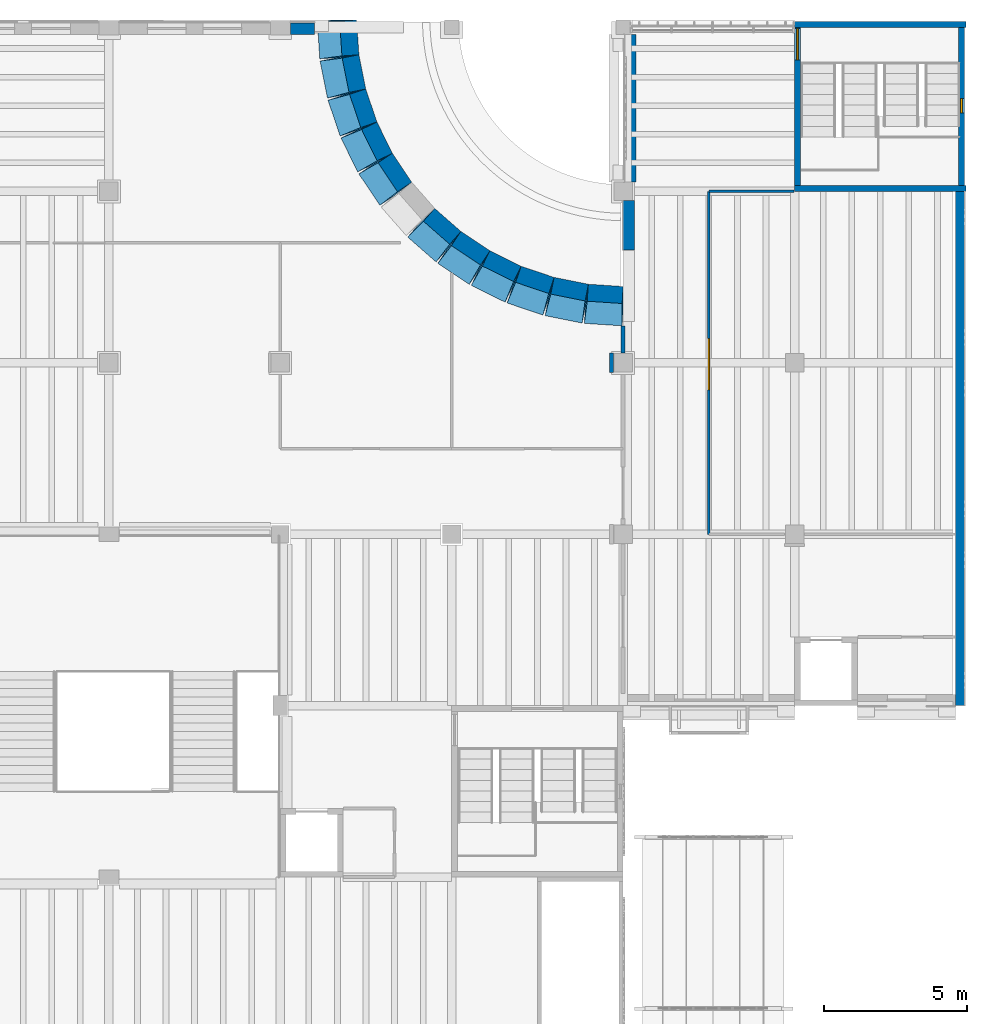
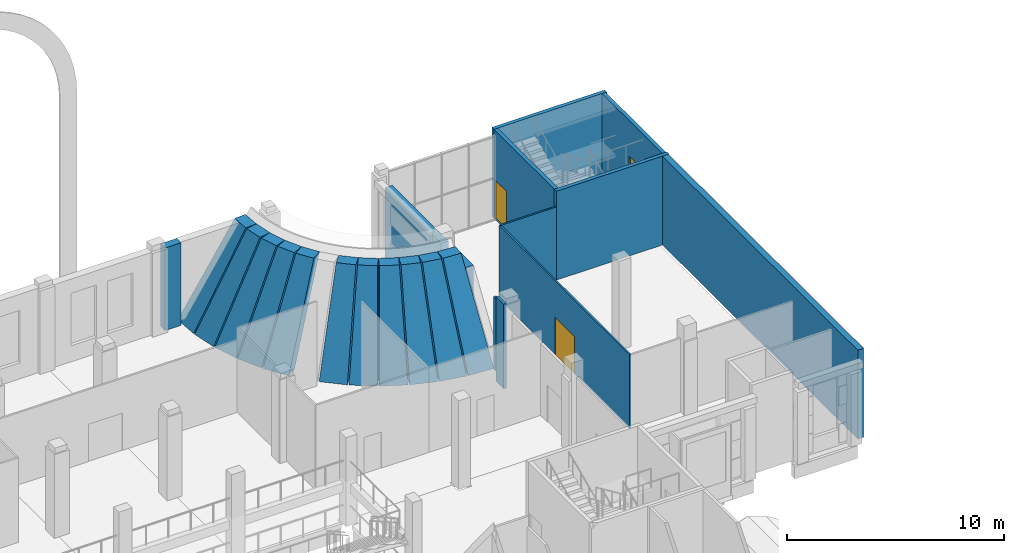
# One storey, part 46 of 80: 23 walls, 2 doors, 1 window, 3 openings.
"""IFC4 building model written with IfcOpenShell, lengths in metres."""

from ifc_helpers import new_model, si_unit, direction, frame, frame_2d, origin, place, context, subcontext, project, spatial, polyline, rectangle, outline, extrude, material, layer, layer_set, type_object, element, fill, save


model = new_model("IFC4")

# Units and contexts
model_context = context("Model", 3, precision=1e-05, world=origin(), true_north=direction((0.0, 1.0)))
body_context = subcontext(model_context, "Body", "Model", "MODEL_VIEW")
ifc_project = project(units=[si_unit("LENGTHUNIT", "METRE"), si_unit("AREAUNIT", "SQUARE_METRE"), si_unit("VOLUMEUNIT", "CUBIC_METRE"), si_unit("PLANEANGLEUNIT", "RADIAN"), si_unit("MASSUNIT", "GRAM", prefix="KILO")], contexts=[model_context])

# Site, building, storey
site_placement = place(None, origin())
site = spatial("IfcSite", under=ifc_project, at=site_placement, CompositionType="ELEMENT")
building_placement = place(site_placement, origin())
building = spatial("IfcBuilding", under=site, at=building_placement, Name="Saffron Lane Theatres", CompositionType="ELEMENT")
storey_placement = place(building_placement, frame((0.0, 0.0, 7.0)))
storey = spatial("IfcBuildingStorey", under=building, at=storey_placement, Name="L01", CompositionType="ELEMENT", Elevation=7.0)

# Walls
ifc_material_1 = material(Name="Masonry pale clay brick", Category="masonry")
ifc_layer_1 = layer(ifc_material_1, 0.11, Name="facing leaf")
ifc_material_2 = material(Name="Air cavity", Category="air")
ifc_layer_2 = layer(ifc_material_2, 0.05, ventilated=True, Name="cavity")
ifc_material_3 = material(Name="Mineral wool insulation")
ifc_layer_3 = layer(ifc_material_3, 0.06, Name="insulation")
ifc_material_4 = material(Name="Concrete N40 (40 MPa)", Category="concrete")
ifc_layer_4 = layer(ifc_material_4, 0.18, Name="inner leaf")
ifc_layer_set_1 = layer_set([ifc_layer_1, ifc_layer_2, ifc_layer_3, ifc_layer_4], Name="Masonry pale clay brick")
wall_type_1 = type_object("IfcWallType", Name="EX-WALL BRICK 400", PredefinedType="SOLIDWALL", material=ifc_layer_set_1)
wall_1_placement = place(storey_placement, frame((54.199951171875, 117.947265625, 0.0), z_axis=(0.0, 0.0, 1.0), x_axis=(0.0, 1.0, 0.0)))
element("IfcWall", 1, at=wall_1_placement, inside=storey, type_object=wall_type_1, Name="External wall L01 13", PredefinedType="SOLIDWALL", context=body_context, shape_type="SweptSolid", body=[
    extrude(rectangle(XDim=1.727783203125, YDim=0.39990234375, at=frame_2d((0.86376953125, 0.0))), origin(), (0.0, 0.0, 1.0), 4.050048828125),
])
wall_2_placement = place(storey_placement, frame((54.25, 120.324951171875, 0.0), z_axis=(0.0, 0.0, 1.0), x_axis=(0.0, 1.0, 0.0)))
element("IfcWall", 2, at=wall_2_placement, inside=storey, type_object=wall_type_1, Name="External wall L01 15", PredefinedType="SOLIDWALL", context=body_context, shape_type="SweptSolid", body=[
    extrude(rectangle(XDim=5.174560546875, YDim=0.39990234375, at=frame_2d((2.58740234375, 0.0))), origin(), (0.0, 0.0, 1.0), 3.949951171875),
])
ifc_material_5 = material(Name="Masonry pale clay brick (20 MPa)", Category="masonry")
ifc_layer_5 = layer(ifc_material_5, 0.39990234375)
ifc_layer_set_2 = layer_set([ifc_layer_5], Name="Masonry pale clay brick (20 MPa)")
wall_type_2 = type_object("IfcWallType", Name="EX-WALL BRICK BEARING 400", PredefinedType="SOLIDWALL", material=ifc_layer_set_2)
wall_3_placement = place(storey_placement, frame((42.35009765625, 125.699951171875, 0.0), z_axis=(0.0, 0.0, 1.0), x_axis=(1.0, 0.0, 0.0)))
element("IfcWall", 3, at=wall_3_placement, inside=storey, type_object=wall_type_2, Name="External wall L01 11", PredefinedType="SOLIDWALL", context=body_context, shape_type="SweptSolid", body=[
    extrude(rectangle(XDim=0.85205078125, YDim=0.39990234375, at=frame_2d((0.426025390625, 0.0))), origin(), (0.0, 0.0, 1.0), 4.64990234375),
])
ifc_material_6 = material(Name="Masonry block partition", Category="masonry")
ifc_layer_6 = layer(ifc_material_6, 0.139892578125)
ifc_layer_set_3 = layer_set([ifc_layer_6], Name="Masonry block partition")
wall_type_3 = type_object("IfcWallType", Name="IN-BLOCK PARTITION 140", PredefinedType="PARTITIONING", material=ifc_layer_set_3)
wall_4_placement = place(storey_placement, frame((54.0, 114.344970703125, 0.0), z_axis=(0.0, 0.0, 1.0), x_axis=(0.0, 1.0, 0.0)))
element("IfcWall", 4, at=wall_4_placement, inside=storey, type_object=wall_type_3, Name="PW-L01-060", PredefinedType="PARTITIONING", context=body_context, shape_type="SweptSolid", body=[
    extrude(rectangle(XDim=0.947509765625, YDim=0.139892578125, at=frame_2d((0.4736328125, 0.0))), origin(), (0.0, 0.0, 1.0), 4.050048828125),
])
wall_5_placement = place(storey_placement, frame((53.60009765625, 113.655029296875, 0.0), z_axis=(0.0, 0.0, 1.0), x_axis=(0.0, 1.0, 0.0)))
element("IfcWall", 5, at=wall_5_placement, inside=storey, type_object=wall_type_3, Name="PW-L01-062", PredefinedType="PARTITIONING", context=body_context, shape_type="SweptSolid", body=[
    extrude(rectangle(XDim=0.68994140625, YDim=0.139892578125, at=frame_2d((0.344970703125, 0.0))), origin(), (0.0, 0.0, 1.0), 4.75),
])
ifc_material_7 = material(Name="Plasterboard on 90 mm steel studs", Category="steel")
ifc_layer_7 = layer(ifc_material_7, 0.090087890625)
ifc_layer_set_4 = layer_set([ifc_layer_7], Name="Plasterboard on 90 mm steel studs")
wall_type_4 = type_object("IfcWallType", Name="IN-STUD PARTITION 090", PredefinedType="PARTITIONING", material=ifc_layer_set_4)
wall_6_placement = place(storey_placement, frame((57.0, 120.0, 0.0), z_axis=(0.0, 0.0, 1.0), x_axis=(1.0, 0.0, 0.0)))
element("IfcWall", 6, at=wall_6_placement, inside=storey, type_object=wall_type_4, Name="PW-L01-096", PredefinedType="PARTITIONING", context=body_context, shape_type="SweptSolid", body=[
    extrude(rectangle(XDim=2.97998046875, YDim=0.090087890625, at=frame_2d((1.489990234375, 0.0))), origin(), (0.0, 0.0, 1.0), 4.14990234375),
])

# Wall, opening, door
wall_7_placement = place(storey_placement, frame((57.0, 108.0, 0.0), z_axis=(0.0, 0.0, 1.0), x_axis=(0.0, 1.0, 0.0)))
wall_7 = element("IfcWall", 7, at=wall_7_placement, inside=storey, type_object=wall_type_4, Name="PW-L01-097", PredefinedType="PARTITIONING", context=body_context, shape_type="SweptSolid", body=[
    extrude(rectangle(XDim=12.0, YDim=0.090087890625, at=frame_2d((6.0, 0.0))), origin(), (0.0, 0.0, 1.0), 4.14990234375),
])
opening_1_placement = place(wall_7_placement, frame((5.050048828125, 0.0, 0.0)))
opening_1 = element("IfcOpeningElement", 8, at=opening_1_placement, cuts=wall_7, Name="Opening D01-02", PredefinedType="OPENING", context=body_context, shape_type="SweptSolid", body=[
    extrude(rectangle(XDim=1.800048828125, YDim=2.10009765625, at=frame_2d((0.89990234375, 1.050048828125))), frame((0.0, 0.05517578125, 0.0), z_axis=(0.0, -1.0, 0.0), x_axis=(1.0, 0.0, 0.0)), (0.0, 0.0, 1.0), 0.110107421875),
])
ifc_material_8 = material(Name="Timber door leaf", Category="wood")
door_type_1 = type_object("IfcDoorType", Name="IN-DOOR 1800x2100", OperationType="DOUBLE_DOOR_SINGLE_SWING", PredefinedType="DOOR", material=ifc_material_8)
door_1_placement = place(opening_1_placement, frame((1.800048828125, 0.0, 0.0), z_axis=(0.0, 0.0, 1.0), x_axis=(-1.0, 0.0, 0.0)))
door_1 = element("IfcDoor", 9, at=door_1_placement, inside=storey, type_object=door_type_1, Name="D01-02", OperationType="DOUBLE_DOOR_SINGLE_SWING", OverallHeight=2.10009765625, OverallWidth=1.800048828125, PredefinedType="DOOR", context=body_context, shape_type="SweptSolid", body=[
    extrude(rectangle(XDim=1.800048828125, YDim=2.10009765625, at=frame_2d((0.89990234375, 1.050048828125))), frame((0.0, 0.02490234375, 0.0), z_axis=(0.0, -1.0, 0.0), x_axis=(1.0, 0.0, 0.0)), (0.0, 0.0, 1.0), 0.050048828125),
])
fill(opening_1, door_1)

# Wall
ifc_material_9 = material(Name="Concrete N50 (50 MPa)", Category="concrete")
ifc_layer_8 = layer(ifc_material_9, 0.199951171875)
ifc_layer_set_5 = layer_set([ifc_layer_8], Name="Concrete N50 (50 MPa)")
wall_type_5 = type_object("IfcWallType", Name="RC-CORE 200", PredefinedType="SHEAR", material=ifc_layer_set_5)
wall_8_placement = place(storey_placement, frame((60.0, 120.10009765625, 0.0), z_axis=(0.0, 0.0, 1.0), x_axis=(1.0, 0.0, 0.0)))
element("IfcWall", 10, at=wall_8_placement, inside=storey, type_object=wall_type_5, Name="W-ST15-S-L01", PredefinedType="SHEAR", context=body_context, shape_type="SweptSolid", body=[
    extrude(rectangle(XDim=6.0, YDim=0.199951171875, at=frame_2d((3.0, 0.0))), origin(), (0.0, 0.0, 1.0), 5.0),
])

# Wall, opening, door
wall_9_placement = place(storey_placement, frame((60.10009765625, 120.199951171875, 0.0), z_axis=(0.0, 0.0, 1.0), x_axis=(0.0, 1.0, 0.0)))
wall_9 = element("IfcWall", 11, at=wall_9_placement, inside=storey, type_object=wall_type_5, Name="W-ST15-W-L01", PredefinedType="SHEAR", context=body_context, shape_type="SweptSolid", body=[
    extrude(rectangle(XDim=5.60009765625, YDim=0.199951171875, at=frame_2d((2.800048828125, 0.0))), origin(), (0.0, 0.0, 1.0), 5.0),
])
opening_2_placement = place(wall_9_placement, frame((4.39990234375, 0.0, 0.0)))
opening_2 = element("IfcOpeningElement", 12, at=opening_2_placement, cuts=wall_9, Name="Opening D01-49", PredefinedType="OPENING", context=body_context, shape_type="SweptSolid", body=[
    extrude(rectangle(XDim=1.10009765625, YDim=2.199951171875, at=frame_2d((0.550048828125, 1.10009765625))), frame((0.0, 0.10986328125, 0.0), z_axis=(0.0, -1.0, 0.0), x_axis=(1.0, 0.0, 0.0)), (0.0, 0.0, 1.0), 0.219970703125),
])
ifc_material_10 = material(Name="Steel faced fire door leaf", Category="steel")
door_type_2 = type_object("IfcDoorType", Name="IN-DOOR 1100x2200 FD120", OperationType="NOTDEFINED", PredefinedType="DOOR", material=ifc_material_10)
door_2_placement = place(opening_2_placement, frame((1.10009765625, 0.0, 0.0), z_axis=(0.0, 0.0, 1.0), x_axis=(-1.0, 0.0, 0.0)))
door_2 = element("IfcDoor", 13, at=door_2_placement, inside=storey, type_object=door_type_2, Name="D01-49", OperationType="SINGLE_SWING_RIGHT", OverallHeight=2.199951171875, OverallWidth=1.10009765625, PredefinedType="DOOR", context=body_context, shape_type="SweptSolid", body=[
    extrude(rectangle(XDim=1.10009765625, YDim=2.199951171875, at=frame_2d((0.550048828125, 1.10009765625))), frame((0.0, 0.02490234375, 0.0), z_axis=(0.0, -1.0, 0.0), x_axis=(1.0, 0.0, 0.0)), (0.0, 0.0, 1.0), 0.050048828125),
])
fill(opening_2, door_2)

# Wall
ifc_material_11 = material(Name="Concrete N50 (50 MPa)", Category="concrete")
ifc_layer_9 = layer(ifc_material_11, 0.199951171875)
ifc_layer_set_6 = layer_set([ifc_layer_9], Name="Concrete N50 (50 MPa)")
wall_type_6 = type_object("IfcWallType", Name="RC-CORE EXTERNAL 200", PredefinedType="SHEAR", material=ifc_layer_set_6)
wall_10_placement = place(storey_placement, frame((60.0, 125.840087890625, 0.0), z_axis=(0.0, 0.0, 1.0), x_axis=(1.0, 0.0, 0.0)))
element("IfcWall", 14, at=wall_10_placement, inside=storey, type_object=wall_type_6, Name="W-ST15-N-L01", PredefinedType="SHEAR", context=body_context, shape_type="SweptSolid", body=[
    extrude(rectangle(XDim=6.0, YDim=0.199951171875, at=frame_2d((3.0, 0.0))), origin(), (0.0, 0.0, 1.0), 5.0),
])

# Wall, opening, window
wall_11_placement = place(storey_placement, frame((65.840087890625, 120.199951171875, 0.0), z_axis=(0.0, 0.0, 1.0), x_axis=(0.0, 1.0, 0.0)))
wall_11 = element("IfcWall", 15, at=wall_11_placement, inside=storey, type_object=wall_type_6, Name="W-ST15-E-L01", PredefinedType="SHEAR", context=body_context, shape_type="SweptSolid", body=[
    extrude(rectangle(XDim=5.60009765625, YDim=0.199951171875, at=frame_2d((2.800048828125, 0.0))), origin(), (0.0, 0.0, 1.0), 5.0),
])
opening_3_placement = place(wall_11_placement, frame((2.550048828125, 0.0, 0.89990234375)))
opening_3 = element("IfcOpeningElement", 16, at=opening_3_placement, cuts=wall_11, Name="Opening WN01-018", PredefinedType="OPENING", context=body_context, shape_type="SweptSolid", body=[
    extrude(rectangle(XDim=0.5, YDim=2.10009765625, at=frame_2d((0.25, 1.050048828125))), frame((0.0, 0.10986328125, 0.0), z_axis=(0.0, -1.0, 0.0), x_axis=(1.0, 0.0, 0.0)), (0.0, 0.0, 1.0), 0.219970703125),
])
ifc_material_12 = material(Name="Aluminium", Category="aluminium")
window_type = type_object("IfcWindowType", Name="EX-WINDOW 500x2100", PartitioningType="SINGLE_PANEL", PredefinedType="WINDOW", material=ifc_material_12)
window_placement = place(opening_3_placement, origin())
window = element("IfcWindow", 17, at=window_placement, inside=storey, type_object=window_type, Name="Stair light ST15 L01", OverallHeight=2.10009765625, OverallWidth=0.5, PartitioningType="SINGLE_PANEL", PredefinedType="WINDOW", context=body_context, shape_type="SweptSolid", body=[
    extrude(rectangle(XDim=0.5, YDim=2.10009765625, at=frame_2d((0.25, 1.050048828125))), frame((0.0, 0.030029296875, 0.0), z_axis=(0.0, -1.0, 0.0), x_axis=(1.0, 0.0, 0.0)), (0.0, 0.0, 1.0), 0.06005859375),
])
fill(opening_3, window)

# Walls
ifc_material_13 = material(Name="Concrete N50 (50 MPa)", Category="concrete")
ifc_layer_10 = layer(ifc_material_13, 0.300048828125)
ifc_layer_set_7 = layer_set([ifc_layer_10], Name="Concrete N50 (50 MPa)")
wall_type_7 = type_object("IfcWallType", Name="RC-PARTY 300", PredefinedType="SOLIDWALL", material=ifc_layer_set_7)
wall_12_placement = place(storey_placement, frame((65.7900390625, 102.0, 0.0), z_axis=(0.0, 0.0, 1.0), x_axis=(0.0, 1.0, 0.0)))
element("IfcWall", 18, at=wall_12_placement, inside=storey, type_object=wall_type_7, Name="W-PARTY-E-102-L01", PredefinedType="SOLIDWALL", context=body_context, shape_type="SweptSolid", body=[
    extrude(rectangle(XDim=18.0, YDim=0.300048828125, at=frame_2d((9.0, 0.0))), origin(), (0.0, 0.0, 1.0), 5.0),
])
ifc_material_14 = material(Name="Concrete N50 (50 MPa)", Category="concrete")
ifc_layer_11 = layer(ifc_material_14, 0.5)
ifc_layer_set_8 = layer_set([ifc_layer_11], Name="Concrete N50 (50 MPa)")
wall_type_8 = type_object("IfcWallType", Name="RC-SCOOP 500", PredefinedType="SOLIDWALL", material=ifc_layer_set_8)
wall_13_placement = place(storey_placement, frame((43.97705078125, 124.679931640625, 0.0), z_axis=(-0.836965590728, -0.054899407289, 0.544494862249), x_axis=(-0.065478224383, 0.997853997628, -3.9353391e-05)))
element("IfcWall", 19, at=wall_13_placement, inside=storey, type_object=wall_type_8, Name="W-SCOOP-NE-L01-1-F1", PredefinedType="SOLIDWALL", context=body_context, shape_type="SweptSolid", body=[
    extrude(outline(polyline([(0.0, 0.0), (1.3224232487396035, 0.0), (1.1241590390201273, -5.54380684659443), (0.19737448270583838, -5.543701317582919), (0.0, 0.0)])), origin(), (7.5390492e-05, 0.544494858635, 0.838764176176), 0.59619140625),
])
wall_14_placement = place(storey_placement, frame((44.235107421875, 123.383056640625, 0.0), z_axis=(-0.822637628243, -0.163726196101, 0.544482382919), x_axis=(-0.19518555592, 0.980766332218, 1.8656341e-05)))
element("IfcWall", 20, at=wall_14_placement, inside=storey, type_object=wall_type_8, Name="W-SCOOP-NE-L01-1-F2", PredefinedType="SOLIDWALL", context=body_context, shape_type="SweptSolid", body=[
    extrude(outline(polyline([(0.0, 0.0), (1.3223002659543204, 0.0), (1.1242033711629917, -5.543675550783111), (0.19767876533981713, -5.543725570131626), (0.0, 0.0)])), origin(), (9.7361744e-05, 0.544482381956, 0.838772273182), 0.59619140625),
])
wall_15_placement = place(storey_placement, frame((44.659912109375, 122.130859375, 0.0), z_axis=(-0.794324736016, -0.269418488523, 0.544483141883), x_axis=(-0.321223106822, 0.947003545328, -2.7908524e-05)))
element("IfcWall", 21, at=wall_15_placement, inside=storey, type_object=wall_type_8, Name="W-SCOOP-NE-L01-1-F3", PredefinedType="SOLIDWALL", context=body_context, shape_type="SweptSolid", body=[
    extrude(outline(polyline([(0.0, 0.0), (1.3222923315088195, 5.551115123125783e-17), (1.1250537284028839, -5.543741247758722), (0.198284023160708, -5.543666414529409), (0.0, 0.0)])), origin(), (-0.000228076126, 0.544483133272, 0.838771760113), 0.59619140625),
])
wall_16_placement = place(storey_placement, frame((45.244873046875, 120.94482421875, 0.0), z_axis=(-0.752251892463, -0.371027167972, 0.544477667964), x_axis=(-0.442340729705, 0.896847076605, 5.472957e-06)))
element("IfcWall", 22, at=wall_16_placement, inside=storey, type_object=wall_type_8, Name="W-SCOOP-NE-L01-1-F4", PredefinedType="SOLIDWALL", context=body_context, shape_type="SweptSolid", body=[
    extrude(outline(polyline([(0.0, 0.0), (1.3224442105756826, 0.0), (1.1243440873319386, -5.5436729895449215), (0.1976942987732176, -5.543687664743951), (0.0, 0.0)])), origin(), (5.7860587e-05, 0.544477667327, 0.838775337283), 0.59619140625),
])
wall_17_placement = place(storey_placement, frame((45.9794921875, 119.84521484375, 0.0), z_axis=(-0.697421440223, -0.465979494917, 0.544487323116), x_axis=(-0.555539086285, 0.831490422718, 2.3173265e-05)))
element("IfcWall", 23, at=wall_17_placement, inside=storey, type_object=wall_type_8, Name="W-SCOOP-NE-L01-1-F5", PredefinedType="SOLIDWALL", context=body_context, shape_type="SweptSolid", body=[
    extrude(outline(polyline([(0.0, 0.0), (1.3224243101942847, 0.0), (1.1248144788715149, -5.543690676036615), (0.19810165976147526, -5.543752814534988), (0.0, 0.0)])), origin(), (-3.7050069e-05, 0.544487322169, 0.838769071095), 0.59619140625),
])
wall_18_placement = place(storey_placement, frame((47.845703125, 117.97900390625, 0.0), z_axis=(-0.553093552863, -0.630572172367, 0.544487150645), x_axis=(-0.751773812455, 0.659421060078, 2.0792921e-05)))
element("IfcWall", 24, at=wall_18_placement, inside=storey, type_object=wall_type_8, Name="W-SCOOP-NE-L01-1-F7", PredefinedType="SOLIDWALL", context=body_context, shape_type="SweptSolid", body=[
    extrude(outline(polyline([(0.0, 0.0), (1.322430417704039, -5.551115123125783e-17), (1.1249923216100686, -5.54369312334895), (0.19821171269354956, -5.54374888084167), (0.0, 0.0)])), origin(), (-0.000100073636, 0.544487146291, 0.838769180114), 0.59619140625),
])
wall_19_placement = place(storey_placement, frame((48.9453125, 117.244384765625, 0.0), z_axis=(-0.465979494917, -0.697421440223, 0.544487323116), x_axis=(-0.831490422718, 0.555539086285, -2.3173265e-05)))
element("IfcWall", 25, at=wall_19_placement, inside=storey, type_object=wall_type_8, Name="W-SCOOP-NE-L01-1-F8", PredefinedType="SOLIDWALL", context=body_context, shape_type="SweptSolid", body=[
    extrude(outline(polyline([(0.0, 0.0), (1.3224243101942847, 0.0), (1.1243226504328092, -5.543752814534988), (0.1976098313227697, -5.543690676036615), (0.0, 0.0)])), origin(), (3.7050069e-05, 0.544487322169, 0.838769071095), 0.59619140625),
])
wall_20_placement = place(storey_placement, frame((50.13134765625, 116.659423828125, 0.0), z_axis=(-0.371027167972, -0.752251892463, 0.544477667964), x_axis=(-0.896847076605, 0.442340729705, -5.472957e-06)))
element("IfcWall", 26, at=wall_20_placement, inside=storey, type_object=wall_type_8, Name="W-SCOOP-NE-L01-1-F9", PredefinedType="SOLIDWALL", context=body_context, shape_type="SweptSolid", body=[
    extrude(outline(polyline([(0.0, 0.0), (1.3224442105756826, 0.0), (1.1247499118024649, -5.543687664743951), (0.198100123243744, -5.5436729895449215), (0.0, 0.0)])), origin(), (-5.7860587e-05, 0.544477667327, 0.838775337283), 0.59619140625),
])
wall_21_placement = place(storey_placement, frame((51.383544921875, 116.234619140625, 0.0), z_axis=(-0.269418488523, -0.794324736016, 0.544483141883), x_axis=(-0.947003545328, 0.321223106822, 2.7908524e-05)))
element("IfcWall", 27, at=wall_21_placement, inside=storey, type_object=wall_type_8, Name="W-SCOOP-NE-L01-1-F10", PredefinedType="SOLIDWALL", context=body_context, shape_type="SweptSolid", body=[
    extrude(outline(polyline([(0.0, 0.0), (1.3222923315088195, -5.551115123125783e-17), (1.1240083083481114, -5.543666414529409), (0.19723860310593558, -5.543741247758723), (0.0, 0.0)])), origin(), (0.000228076126, 0.544483133272, 0.838771760113), 0.59619140625),
])
wall_22_placement = place(storey_placement, frame((52.680419921875, 115.9765625, 0.0), z_axis=(-0.163726196101, -0.822637628243, 0.544482382919), x_axis=(-0.980766332218, 0.19518555592, -1.8656341e-05)))
element("IfcWall", 28, at=wall_22_placement, inside=storey, type_object=wall_type_8, Name="W-SCOOP-NE-L01-1-F11", PredefinedType="SOLIDWALL", context=body_context, shape_type="SweptSolid", body=[
    extrude(outline(polyline([(0.0, 0.0), (1.3223002659543204, 0.0), (1.1246215006145033, -5.543725570131626), (0.1980968947913284, -5.543675550783111), (0.0, 0.0)])), origin(), (-9.7361744e-05, 0.544482381956, 0.838772273182), 0.59619140625),
])
wall_23_placement = place(storey_placement, frame((54.0, 115.889892578125, 0.0), z_axis=(-0.054899407289, -0.836965590728, 0.544494862249), x_axis=(-0.997853997628, 0.065478224383, 3.9353391e-05)))
element("IfcWall", 29, at=wall_23_placement, inside=storey, type_object=wall_type_8, Name="W-SCOOP-NE-L01-1-F12", PredefinedType="SOLIDWALL", context=body_context, shape_type="SweptSolid", body=[
    extrude(outline(polyline([(0.0, 0.0), (1.3224232487396035, 0.0), (1.1250487660337651, -5.543701317582919), (0.19826420971947611, -5.54380684659443), (0.0, 0.0)])), origin(), (-7.5390492e-05, 0.544494858635, 0.838764176176), 0.59619140625),
])

save(model, "model.ifc")
